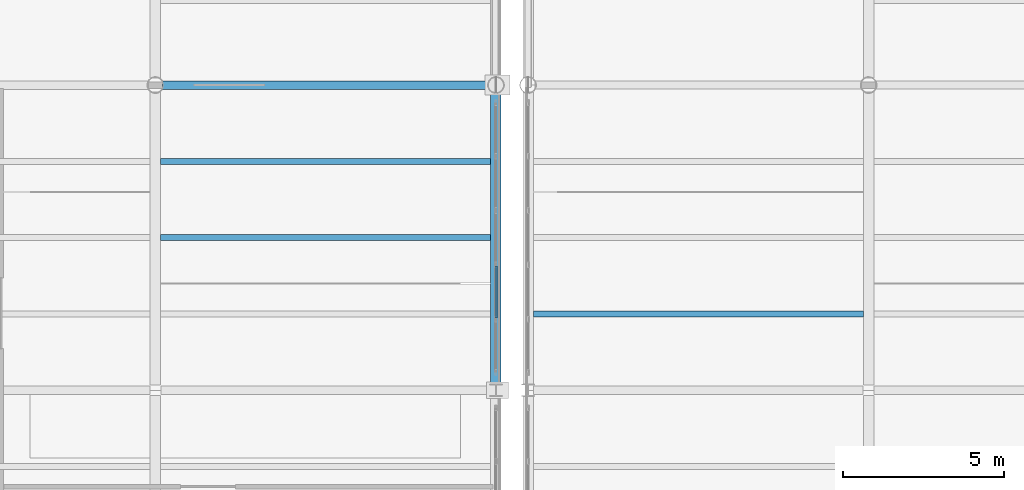
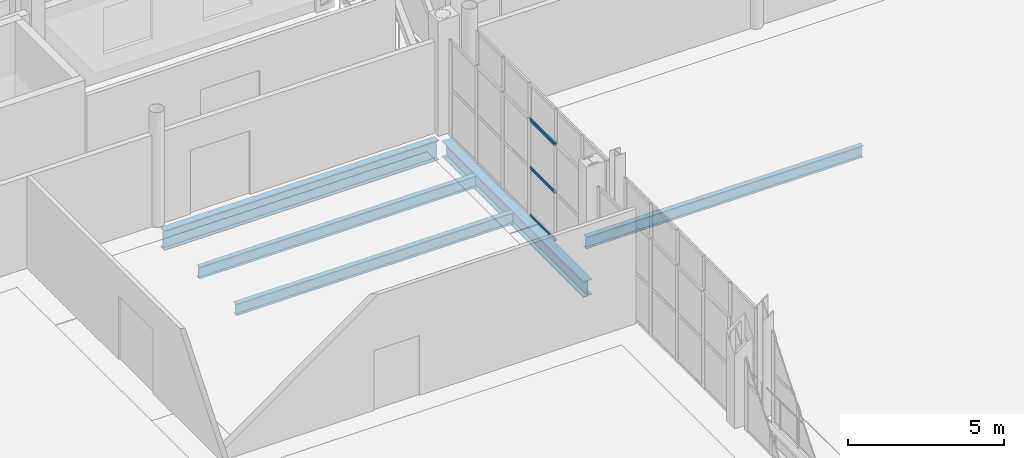
# One storey, part 37 of 156: 5 beams, 3 members, 1 element without a shape of its own.
"""IFC4 building model written with IfcOpenShell, lengths in metres."""

from ifc_helpers import new_model, si_unit, direction, frame, origin, origin_2d, place, context, subcontext, project, spatial, hollow_rectangle, i_section, extrude, material, material_profile, profile_set, type_object, element, aggregate, save


model = new_model("IFC4")

# Units and contexts
model_context = context("Model", 3, precision=1e-05, world=origin(), true_north=direction((0.0, 1.0)))
body_context = subcontext(model_context, "Body", "Model", "MODEL_VIEW")
ifc_project = project(units=[si_unit("LENGTHUNIT", "METRE"), si_unit("AREAUNIT", "SQUARE_METRE"), si_unit("VOLUMEUNIT", "CUBIC_METRE"), si_unit("PLANEANGLEUNIT", "RADIAN"), si_unit("MASSUNIT", "GRAM", prefix="KILO")], contexts=[model_context])

# Site, building, storey
site_placement = place(None, origin())
site = spatial("IfcSite", under=ifc_project, at=site_placement, CompositionType="ELEMENT")
building_placement = place(site_placement, origin())
building = spatial("IfcBuilding", under=site, at=building_placement, Name="Caurita Quay Ferry Terminal", CompositionType="ELEMENT")
storey_placement = place(building_placement, frame((0.0, 0.0, 5.39990234375)))
storey = spatial("IfcBuildingStorey", under=building, at=storey_placement, Name="L01", CompositionType="ELEMENT", Elevation=5.39990234375)

# Beams
ifc_material_1 = material(Name="Structural steel ASTM A992 Gr. 50", Category="steel")
ifc_material_profile_1 = material_profile(ifc_material_1, i_section(OverallWidth=0.3251953125, OverallDepth=0.612060546875, WebThickness=0.0126953125, FlangeThickness=0.01904296875, FilletRadius=0.01513671875, at=origin_2d()), Name="W24X104")
ifc_profile_set_1 = profile_set([ifc_material_profile_1], Name="Structural steel ASTM A992 Gr. 50")
beam_type_1 = type_object("IfcBeamType", Name="BM-GR-W24A", PredefinedType="BEAM", material=ifc_profile_set_1)
beam_1_placement = place(storey_placement, frame((87.60009765625, 53.377197265625, -0.60595703125), z_axis=(0.0, 1.0, 0.0), x_axis=(-1.0, 0.0, 0.0)))
element("IfcBeam", 1, at=beam_1_placement, inside=storey, type_object=beam_type_1, Name="L01 Beam BM-V1-L01-Y-876-534", PredefinedType="BEAM", context=body_context, shape_type="SweptSolid", body=[
    extrude(i_section(OverallWidth=0.3251953125, OverallDepth=0.612060546875, WebThickness=0.0126953125, FlangeThickness=0.01904296875, FilletRadius=0.01513671875, at=origin_2d()), origin(), (0.0, 0.0, 1.0), 9.10693359375),
])
ifc_material_profile_2 = material_profile(ifc_material_1, i_section(OverallWidth=0.2666015625, OverallDepth=0.77978515625, WebThickness=0.0166015625, FlangeThickness=0.030029296875, FilletRadius=0.01904296875, at=origin_2d()), Name="W30X148")
ifc_profile_set_2 = profile_set([ifc_material_profile_2], Name="Structural steel ASTM A992 Gr. 50")
beam_type_2 = type_object("IfcBeamType", Name="BM-GR-W30A", PredefinedType="BEAM", material=ifc_profile_set_2)
beam_2_placement = place(storey_placement, frame((77.2158203125, 62.699951171875, -0.689697265625), z_axis=(1.0, 0.0, 0.0), x_axis=(0.0, 1.0, 0.0)))
element("IfcBeam", 2, at=beam_2_placement, inside=storey, type_object=beam_type_2, Name="L01 Beam BM-V1-L01-X-772-627", PredefinedType="BEAM", context=body_context, shape_type="SweptSolid", body=[
    extrude(i_section(OverallWidth=0.2666015625, OverallDepth=0.77978515625, WebThickness=0.0166015625, FlangeThickness=0.030029296875, FilletRadius=0.01904296875, at=origin_2d()), origin(), (0.0, 0.0, 1.0), 10.168212890625),
])
ifc_material_profile_3 = material_profile(ifc_material_1, i_section(OverallWidth=0.1904296875, OverallDepth=0.457275390625, WebThickness=0.009033203125, FlangeThickness=0.014404296875, FilletRadius=0.0126953125, at=origin_2d()), Name="W18X50")
ifc_profile_set_3 = profile_set([ifc_material_profile_3], Name="Structural steel ASTM A992 Gr. 50")
beam_type_3 = type_object("IfcBeamType", Name="BM-JS-W18B", PredefinedType="JOIST", material=ifc_profile_set_3)
for number, where, z_axis, x_axis, name in (
    (3, (77.16259765625, 57.949951171875, -0.528564453125), (1.0, 0.0, 0.0), (0.0, 1.0, 0.0), "L01 Beam JS-V1-L01-077"),
    (4, (77.16259765625, 60.324951171875, -0.528564453125), (1.0, 0.0, 0.0), (0.0, 1.0, 0.0), "L01 Beam JS-V1-L01-078"),
):
    element("IfcBeam", number, at=place(storey_placement, frame(where, z_axis=z_axis, x_axis=x_axis)), inside=storey, type_object=beam_type_3, Name=name, PredefinedType="JOIST", context=body_context, shape_type="SweptSolid", body=[
        extrude(i_section(OverallWidth=0.1904296875, OverallDepth=0.457275390625, WebThickness=0.009033203125, FlangeThickness=0.014404296875, FilletRadius=0.0126953125, at=origin_2d()), origin(), (0.0, 0.0, 1.0), 10.27490234375),
    ])
beam_3_placement = place(storey_placement, frame((88.762451171875, 55.574951171875, -0.528564453125), z_axis=(1.0, 0.0, 0.0), x_axis=(0.0, 1.0, 0.0)))
element("IfcBeam", 5, at=beam_3_placement, inside=storey, type_object=beam_type_3, Name="L01 Beam JS-V2-L01-007", PredefinedType="JOIST", context=body_context, shape_type="SweptSolid", body=[
    extrude(i_section(OverallWidth=0.1904296875, OverallDepth=0.457275390625, WebThickness=0.009033203125, FlangeThickness=0.014404296875, FilletRadius=0.0126953125, at=origin_2d()), origin(), (0.0, 0.0, 1.0), 10.275146484375),
])

# Curtain wall, members
ifc_material_2 = material(Name="Laminated solar-control insulated glass", Category="glass")
curtain_wall_type = type_object("IfcCurtainWallType", Name="CW-SYS-12", PredefinedType="NOTDEFINED", material=ifc_material_2)
curtain_wall_placement = place(storey_placement, origin())
curtain_wall = element("IfcCurtainWall", 6, at=curtain_wall_placement, inside=storey, type_object=curtain_wall_type, Name="Concourse Gable Curtain Wall 082", PredefinedType="NOTDEFINED")
ifc_material_3 = material(Name="Anodized aluminium 6063-T6", Category="aluminium")
ifc_material_profile_4 = material_profile(ifc_material_3, hollow_rectangle(XDim=0.06005859375, YDim=0.114990234375, WallThickness=0.00341796875, at=origin_2d()), Name="ALU-TRN-60X115")
ifc_profile_set_4 = profile_set([ifc_material_profile_4], Name="Anodized aluminium 6063-T6")
member_type = type_object("IfcMemberType", Name="CW-TRN-115", PredefinedType="USERDEFINED", material=ifc_profile_set_4)
member_1_placement = place(storey_placement, frame((87.60009765625, 55.4423828125, 0.030029296875), z_axis=(0.0, 1.0, 0.0), x_axis=(-1.0, 0.0, 0.0)))
member_1 = element("IfcMember", 7, at=member_1_placement, type_object=member_type, Name="CW-GBL-082 Transom 4", ObjectType="TRANSOM", PredefinedType="USERDEFINED", context=body_context, shape_type="SweptSolid", body=[
    extrude(hollow_rectangle(XDim=0.06005859375, YDim=0.114990234375, WallThickness=0.00341796875, at=origin_2d()), origin(), (0.0, 0.0, 1.0), 1.631103515625),
])
member_2_placement = place(storey_placement, frame((87.60009765625, 55.4423828125, 1.900146484375), z_axis=(0.0, 1.0, 0.0), x_axis=(-1.0, 0.0, 0.0)))
member_2 = element("IfcMember", 8, at=member_2_placement, type_object=member_type, Name="CW-GBL-082 Transom 5", ObjectType="TRANSOM", PredefinedType="USERDEFINED", context=body_context, shape_type="SweptSolid", body=[
    extrude(hollow_rectangle(XDim=0.06005859375, YDim=0.114990234375, WallThickness=0.00341796875, at=origin_2d()), origin(), (0.0, 0.0, 1.0), 1.631103515625),
])
member_3_placement = place(storey_placement, frame((87.60009765625, 55.4423828125, 3.77001953125), z_axis=(0.0, 1.0, 0.0), x_axis=(-1.0, 0.0, 0.0)))
member_3 = element("IfcMember", 9, at=member_3_placement, type_object=member_type, Name="CW-GBL-082 Transom 6", ObjectType="TRANSOM", PredefinedType="USERDEFINED", context=body_context, shape_type="SweptSolid", body=[
    extrude(hollow_rectangle(XDim=0.06005859375, YDim=0.114990234375, WallThickness=0.00341796875, at=origin_2d()), origin(), (0.0, 0.0, 1.0), 1.631103515625),
])
aggregate(curtain_wall, [member_1, member_2, member_3])

save(model, "model.ifc")
